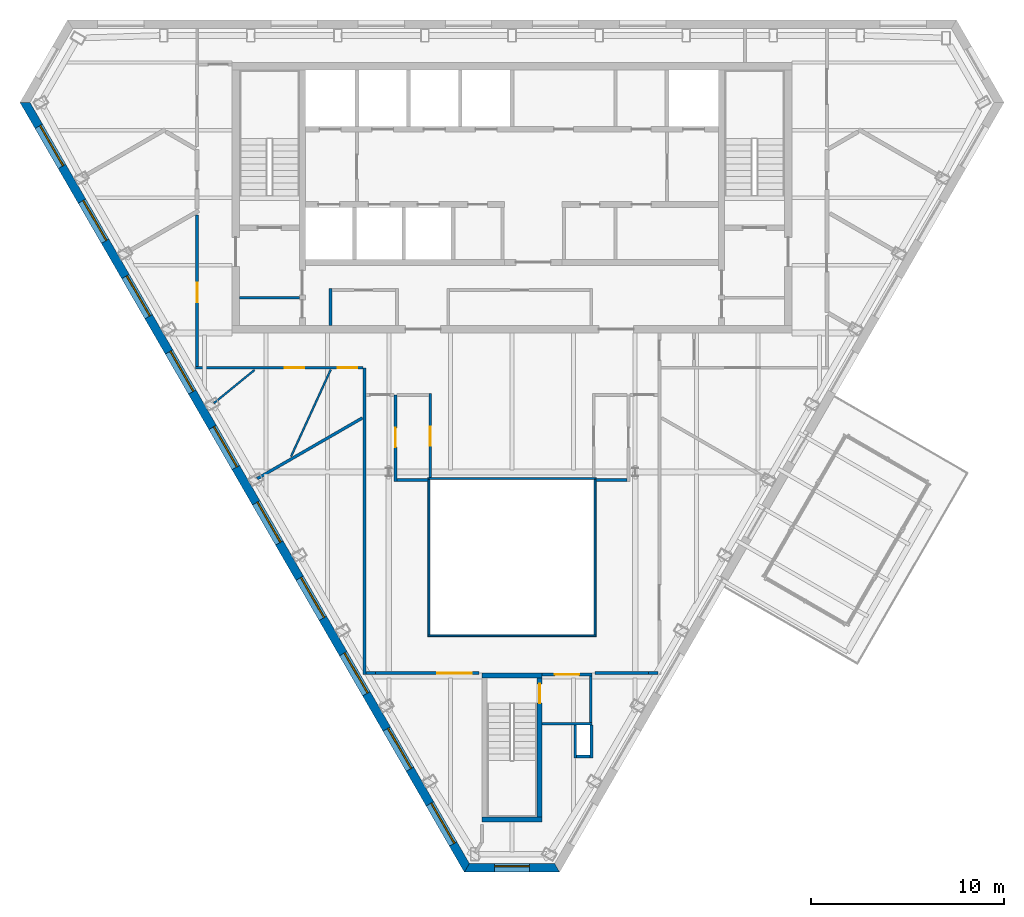
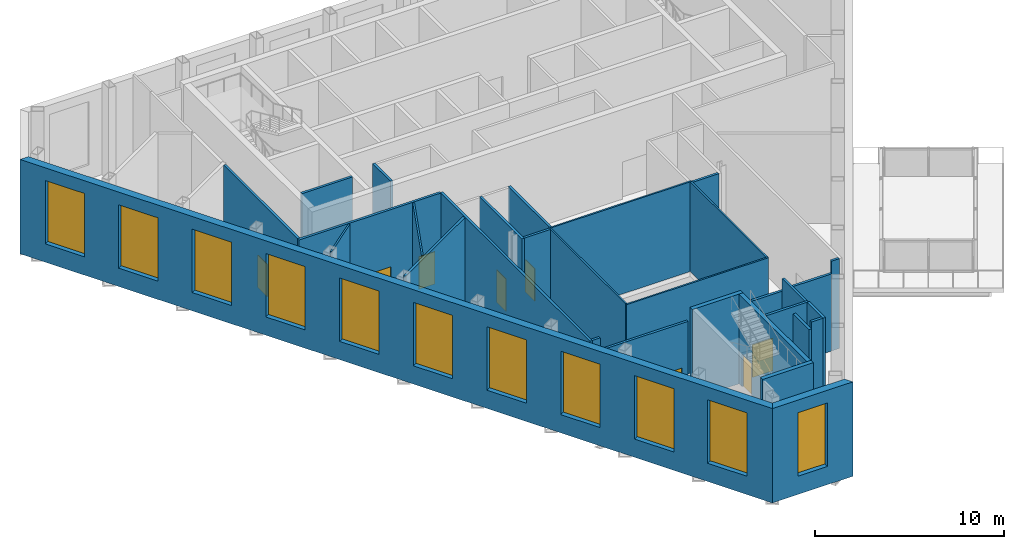
# One storey, part 5 of 11: 31 walls, 11 windows, 8 doors, 19 openings.
"""IFC4 building model written with IfcOpenShell, lengths in metres."""

from ifc_helpers import new_model, si_unit, direction, frame, frame_2d, origin, place, context, subcontext, project, spatial, polyline, rectangle, outline, extrude, material, layer, layer_set, type_object, element, fill, save


model = new_model("IFC4")

# Units and contexts
model_context = context("Model", 3, precision=1e-05, world=origin(), true_north=direction((0.0, 1.0)))
body_context = subcontext(model_context, "Body", "Model", "MODEL_VIEW")
ifc_project = project(units=[si_unit("LENGTHUNIT", "METRE"), si_unit("AREAUNIT", "SQUARE_METRE"), si_unit("VOLUMEUNIT", "CUBIC_METRE"), si_unit("PLANEANGLEUNIT", "RADIAN"), si_unit("MASSUNIT", "GRAM", prefix="KILO")], contexts=[model_context])

# Site, building, storey
site_placement = place(None, origin())
site = spatial("IfcSite", under=ifc_project, at=site_placement, CompositionType="ELEMENT")
building_placement = place(site_placement, origin())
building = spatial("IfcBuilding", under=site, at=building_placement, Name="Njiva Tower", CompositionType="ELEMENT")
storey_placement = place(building_placement, frame((0.0, 0.0, 298.2)))
storey = spatial("IfcBuildingStorey", under=building, at=storey_placement, Name="L68", CompositionType="ELEMENT", Elevation=298.2)

# Walls
ifc_material_1 = material(Name="Blockwork", Category="masonry")
ifc_layer_1 = layer(ifc_material_1, 0.15)
ifc_layer_set_1 = layer_set([ifc_layer_1], Name="Blockwork")
wall_type_1 = type_object("IfcWallType", Name="WT1 Compartment partition 150", PredefinedType="PARTITIONING", material=ifc_layer_set_1)
wall_1_placement = place(storey_placement, frame((-14.1, 5.825, 0.0), z_axis=(0.0, 0.0, 1.0), x_axis=(1.0, 0.0, 0.0)))
element("IfcWall", 1, at=wall_1_placement, inside=storey, type_object=wall_type_1, Name="Room wall A", PredefinedType="PARTITIONING", context=body_context, shape_type="SweptSolid", body=[
    extrude(rectangle(XDim=3.1, YDim=0.15, at=frame_2d((1.55, 0.0))), origin(), (0.0, 0.0, 1.0), 5.8),
])
wall_2_placement = place(storey_placement, frame((-9.4, 4.4, 0.0), z_axis=(0.0, 0.0, 1.0), x_axis=(0.0, 1.0, 0.0)))
element("IfcWall", 2, at=wall_2_placement, inside=storey, type_object=wall_type_1, Name="Waiting room wall west", PredefinedType="PARTITIONING", context=body_context, shape_type="SweptSolid", body=[
    extrude(rectangle(XDim=1.895, YDim=0.15, at=frame_2d((0.9475, 0.0))), origin(), (0.0, 0.0, 1.0), 5.8),
])
ifc_material_2 = material(Name="Gypsum board on steel studs", Category="gypsum")
ifc_layer_2 = layer(ifc_material_2, 0.1)
ifc_layer_set_2 = layer_set([ifc_layer_2], Name="Gypsum board on steel studs")
wall_type_2 = type_object("IfcWallType", Name="WT20 Gypsum partition 100", PredefinedType="PARTITIONING", material=ifc_layer_set_2)
wall_3_placement = place(storey_placement, frame((-15.436, 0.363, 0.0), z_axis=(0.0, 0.0, 1.0), x_axis=(0.774415182093, 0.632677742412, 0.0)))
element("IfcWall", 3, at=wall_3_placement, inside=storey, type_object=wall_type_2, Name="Partition S22-P010", PredefinedType="PARTITIONING", context=body_context, shape_type="SweptSolid", body=[
    extrude(rectangle(XDim=2.7233, YDim=0.1, at=frame_2d((1.3616, 0.0))), origin(), (0.0, 0.0, 1.0), 5.8),
])
wall_4_placement = place(storey_placement, frame((-11.438, -2.395, 0.0), z_axis=(0.0, 0.0, 1.0), x_axis=(0.415979482181, 0.909373999191, 0.0)))
element("IfcWall", 4, at=wall_4_placement, inside=storey, type_object=wall_type_2, Name="Partition S22-P012", PredefinedType="PARTITIONING", context=body_context, shape_type="SweptSolid", body=[
    extrude(rectangle(XDim=4.9474, YDim=0.1, at=frame_2d((2.4737, 0.0))), origin(), (0.0, 0.0, 1.0), 5.8),
])

# Wall, openings, doors
ifc_layer_3 = layer(ifc_material_2, 0.15)
ifc_layer_set_3 = layer_set([ifc_layer_3], Name="Gypsum board on steel studs")
wall_type_3 = type_object("IfcWallType", Name="WT21 Compartment wall 150", PredefinedType="PARTITIONING", material=ifc_layer_set_3)
wall_5_placement = place(storey_placement, frame((-16.375, 2.2, 0.0), z_axis=(0.0, 0.0, 1.0), x_axis=(1.0, 0.0, 0.0)))
wall_5 = element("IfcWall", 5, at=wall_5_placement, inside=storey, type_object=wall_type_3, Name="Partition S22-P004", PredefinedType="PARTITIONING", context=body_context, shape_type="SweptSolid", body=[
    extrude(rectangle(XDim=8.67, YDim=0.15, at=frame_2d((4.335, 0.0))), origin(), (0.0, 0.0, 1.0), 5.8),
])
opening_1_placement = place(wall_5_placement, frame((4.613, 0.0, 0.0)))
opening_1 = element("IfcOpeningElement", 6, at=opening_1_placement, cuts=wall_5, Name="Opening S22-D001", PredefinedType="OPENING", context=body_context, shape_type="SweptSolid", body=[
    extrude(rectangle(XDim=1.0, YDim=2.1, at=frame_2d((0.5, 1.05))), frame((0.0, 0.085, 0.0), z_axis=(0.0, -1.0, 0.0), x_axis=(1.0, 0.0, 0.0)), (0.0, 0.0, 1.0), 0.17),
])
opening_2_placement = place(wall_5_placement, frame((7.354, 0.0, 0.0)))
opening_2 = element("IfcOpeningElement", 7, at=opening_2_placement, cuts=wall_5, Name="Opening S22-D002", PredefinedType="OPENING", context=body_context, shape_type="SweptSolid", body=[
    extrude(rectangle(XDim=1.0, YDim=2.1, at=frame_2d((0.5, 1.05))), frame((0.0, 0.085, 0.0), z_axis=(0.0, -1.0, 0.0), x_axis=(1.0, 0.0, 0.0)), (0.0, 0.0, 1.0), 0.17),
])
ifc_material_3 = material(Name="Steel fire door set", Category="steel")
door_type_1 = type_object("IfcDoorType", Name="D37 Fire door 1000x2100", OperationType="SINGLE_SWING_LEFT", PredefinedType="DOOR", material=ifc_material_3)
door_1_placement = place(opening_1_placement, origin())
door_1 = element("IfcDoor", 8, at=door_1_placement, inside=storey, type_object=door_type_1, Name="Door S22-D001", OperationType="SINGLE_SWING_RIGHT", OverallHeight=2.1, OverallWidth=1.0, PredefinedType="DOOR", context=body_context, shape_type="SweptSolid", body=[
    extrude(rectangle(XDim=1.0, YDim=2.1, at=frame_2d((0.5, 1.05))), frame((0.0, 0.025, 0.0), z_axis=(0.0, -1.0, 0.0), x_axis=(1.0, 0.0, 0.0)), (0.0, 0.0, 1.0), 0.05),
])
fill(opening_1, door_1)
door_2_placement = place(opening_2_placement, origin())
door_2 = element("IfcDoor", 9, at=door_2_placement, inside=storey, type_object=door_type_1, Name="Door S22-D002", OperationType="SINGLE_SWING_RIGHT", OverallHeight=2.1, OverallWidth=1.0, PredefinedType="DOOR", context=body_context, shape_type="SweptSolid", body=[
    extrude(rectangle(XDim=1.0, YDim=2.1, at=frame_2d((0.5, 1.05))), frame((0.0, 0.025, 0.0), z_axis=(0.0, -1.0, 0.0), x_axis=(1.0, 0.0, 0.0)), (0.0, 0.0, 1.0), 0.05),
])
fill(opening_2, door_2)

# Wall, opening, door
wall_6_placement = place(storey_placement, frame((-16.3, 2.275, 0.0), z_axis=(0.0, 0.0, 1.0), x_axis=(0.0, 1.0, 0.0)))
wall_6 = element("IfcWall", 10, at=wall_6_placement, inside=storey, type_object=wall_type_3, Name="Partition S22-P005", PredefinedType="PARTITIONING", context=body_context, shape_type="SweptSolid", body=[
    extrude(rectangle(XDim=7.845, YDim=0.15, at=frame_2d((3.9225, 0.0))), origin(), (0.0, 0.0, 1.0), 5.8),
])
opening_3_placement = place(wall_6_placement, frame((3.322, 0.0, 0.0)))
opening_3 = element("IfcOpeningElement", 11, at=opening_3_placement, cuts=wall_6, Name="Opening S22-D003", PredefinedType="OPENING", context=body_context, shape_type="SweptSolid", body=[
    extrude(rectangle(XDim=1.0, YDim=2.1, at=frame_2d((0.5, 1.05))), frame((0.0, 0.085, 0.0), z_axis=(0.0, -1.0, 0.0), x_axis=(1.0, 0.0, 0.0)), (0.0, 0.0, 1.0), 0.17),
])
door_3_placement = place(opening_3_placement, origin())
door_3 = element("IfcDoor", 12, at=door_3_placement, inside=storey, type_object=door_type_1, Name="Door S22-D003", OperationType="SINGLE_SWING_RIGHT", OverallHeight=2.1, OverallWidth=1.0, PredefinedType="DOOR", context=body_context, shape_type="SweptSolid", body=[
    extrude(rectangle(XDim=1.0, YDim=2.1, at=frame_2d((0.5, 1.05))), frame((0.0, 0.025, 0.0), z_axis=(0.0, -1.0, 0.0), x_axis=(1.0, 0.0, 0.0)), (0.0, 0.0, 1.0), 0.05),
])
fill(opening_3, door_3)

# Walls
wall_7_placement = place(storey_placement, frame((-13.186, -3.538, 0.0), z_axis=(0.0, 0.0, 1.0), x_axis=(0.866100818307, 0.499869355459, 0.0)))
element("IfcWall", 13, at=wall_7_placement, inside=storey, type_object=wall_type_3, Name="Partition S22-P011", PredefinedType="PARTITIONING", context=body_context, shape_type="SweptSolid", body=[
    extrude(rectangle(XDim=6.2856, YDim=0.15, at=frame_2d((3.1428, 0.0))), origin(), (0.0, 0.0, 1.0), 5.8),
])
wall_8_placement = place(storey_placement, frame((-7.63, -13.675, 0.0), z_axis=(0.0, 0.0, 1.0), x_axis=(0.0, 1.0, 0.0)))
element("IfcWall", 14, at=wall_8_placement, inside=storey, type_object=wall_type_3, Name="Partition S22-P013", PredefinedType="PARTITIONING", context=body_context, shape_type="SweptSolid", body=[
    extrude(rectangle(XDim=15.873, YDim=0.15, at=frame_2d((7.9365, 0.0))), origin(), (0.0, 0.0, 1.0), 5.8),
])
wall_9_placement = place(storey_placement, frame((-7.555, -13.6, 0.0), z_axis=(0.0, 0.0, 1.0), x_axis=(1.0, 0.0, 0.0)))
element("IfcWall", 15, at=wall_9_placement, inside=storey, type_object=wall_type_3, Name="Partition S22-P014", PredefinedType="PARTITIONING", context=body_context, shape_type="SweptSolid", body=[
    extrude(rectangle(XDim=0.48, YDim=0.15, at=frame_2d((0.24, 0.0))), origin(), (0.0, 0.0, 1.0), 5.8),
])

# Wall, opening, door
wall_10_placement = place(storey_placement, frame((-7.075, -13.6, 0.0), z_axis=(0.0, 0.0, 1.0), x_axis=(1.0, 0.0, 0.0)))
wall_10 = element("IfcWall", 16, at=wall_10_placement, inside=storey, type_object=wall_type_3, Name="Partition S22-P014A", PredefinedType="PARTITIONING", context=body_context, shape_type="SweptSolid", body=[
    extrude(rectangle(XDim=5.375, YDim=0.15, at=frame_2d((2.6875, 0.0))), origin(), (0.0, 0.0, 1.0), 4.986),
])
opening_4_placement = place(wall_10_placement, frame((3.204, 0.0, 0.0)))
opening_4 = element("IfcOpeningElement", 17, at=opening_4_placement, cuts=wall_10, Name="Opening S22-D007", PredefinedType="OPENING", context=body_context, shape_type="SweptSolid", body=[
    extrude(rectangle(XDim=1.8, YDim=2.1, at=frame_2d((0.9, 1.05))), frame((0.0, 0.085, 0.0), z_axis=(0.0, -1.0, 0.0), x_axis=(1.0, 0.0, 0.0)), (0.0, 0.0, 1.0), 0.17),
])
door_type_2 = type_object("IfcDoorType", Name="D38 Fire door 1800x2100", OperationType="DOUBLE_DOOR_SINGLE_SWING", PredefinedType="DOOR", material=ifc_material_3)
door_4_placement = place(opening_4_placement, origin())
door_4 = element("IfcDoor", 18, at=door_4_placement, inside=storey, type_object=door_type_2, Name="Door S22-D007", OperationType="DOUBLE_DOOR_SINGLE_SWING", OverallHeight=2.1, OverallWidth=1.8, PredefinedType="DOOR", context=body_context, shape_type="SweptSolid", body=[
    extrude(rectangle(XDim=1.8, YDim=2.1, at=frame_2d((0.9, 1.05))), frame((0.0, 0.025, 0.0), z_axis=(0.0, -1.0, 0.0), x_axis=(1.0, 0.0, 0.0)), (0.0, 0.0, 1.0), 0.05),
])
fill(opening_4, door_4)

wall_11_placement = place(storey_placement, frame((-6.03, -3.687, 0.0), z_axis=(0.0, 0.0, 1.0), x_axis=(0.0, 1.0, 0.0)))
wall_11 = element("IfcWall", 19, at=wall_11_placement, inside=storey, type_object=wall_type_3, Name="Partition S22-P016", PredefinedType="PARTITIONING", context=body_context, shape_type="SweptSolid", body=[
    extrude(rectangle(XDim=4.487, YDim=0.15, at=frame_2d((2.2435, 0.0))), origin(), (0.0, 0.0, 1.0), 5.8),
])
opening_5_placement = place(wall_11_placement, frame((1.781, 0.0, 0.0)))
opening_5 = element("IfcOpeningElement", 20, at=opening_5_placement, cuts=wall_11, Name="Opening S22-D009", PredefinedType="OPENING", context=body_context, shape_type="SweptSolid", body=[
    extrude(rectangle(XDim=1.0, YDim=2.1, at=frame_2d((0.5, 1.05))), frame((0.0, 0.085, 0.0), z_axis=(0.0, -1.0, 0.0), x_axis=(1.0, 0.0, 0.0)), (0.0, 0.0, 1.0), 0.17),
])
door_5_placement = place(opening_5_placement, origin())
door_5 = element("IfcDoor", 21, at=door_5_placement, inside=storey, type_object=door_type_1, Name="Door S22-D009", OperationType="SINGLE_SWING_RIGHT", OverallHeight=2.1, OverallWidth=1.0, PredefinedType="DOOR", context=body_context, shape_type="SweptSolid", body=[
    extrude(rectangle(XDim=1.0, YDim=2.1, at=frame_2d((0.5, 1.05))), frame((0.0, 0.025, 0.0), z_axis=(0.0, -1.0, 0.0), x_axis=(1.0, 0.0, 0.0)), (0.0, 0.0, 1.0), 0.05),
])
fill(opening_5, door_5)

# Wall
wall_12_placement = place(storey_placement, frame((-5.955, -3.612, 0.0), z_axis=(0.0, 0.0, 1.0), x_axis=(1.0, 0.0, 0.0)))
element("IfcWall", 22, at=wall_12_placement, inside=storey, type_object=wall_type_3, Name="Partition S22-P017", PredefinedType="PARTITIONING", context=body_context, shape_type="SweptSolid", body=[
    extrude(rectangle(XDim=1.605, YDim=0.15, at=frame_2d((0.8025, 0.0))), origin(), (0.0, 0.0, 1.0), 5.8),
])

# Wall, opening, door
wall_13_placement = place(storey_placement, frame((-4.23, -3.48, 0.0), z_axis=(0.0, 0.0, 1.0), x_axis=(0.0, 1.0, 0.0)))
wall_13 = element("IfcWall", 23, at=wall_13_placement, inside=storey, type_object=wall_type_3, Name="Partition S22-P019", PredefinedType="PARTITIONING", context=body_context, shape_type="SweptSolid", body=[
    extrude(rectangle(XDim=4.355, YDim=0.15, at=frame_2d((2.1775, 0.0))), origin(), (0.0, 0.0, 1.0), 5.8),
])
opening_6_placement = place(wall_13_placement, frame((1.64, 0.0, 0.0)))
opening_6 = element("IfcOpeningElement", 24, at=opening_6_placement, cuts=wall_13, Name="Opening S22-D010", PredefinedType="OPENING", context=body_context, shape_type="SweptSolid", body=[
    extrude(rectangle(XDim=1.0, YDim=2.1, at=frame_2d((0.5, 1.05))), frame((0.0, 0.085, 0.0), z_axis=(0.0, -1.0, 0.0), x_axis=(1.0, 0.0, 0.0)), (0.0, 0.0, 1.0), 0.17),
])
door_6_placement = place(opening_6_placement, origin())
door_6 = element("IfcDoor", 25, at=door_6_placement, inside=storey, type_object=door_type_1, Name="Door S22-D010", OperationType="SINGLE_SWING_LEFT", OverallHeight=2.1, OverallWidth=1.0, PredefinedType="DOOR", context=body_context, shape_type="SweptSolid", body=[
    extrude(rectangle(XDim=1.0, YDim=2.1, at=frame_2d((0.5, 1.05))), frame((0.0, 0.025, 0.0), z_axis=(0.0, -1.0, 0.0), x_axis=(1.0, 0.0, 0.0)), (0.0, 0.0, 1.0), 0.05),
])
fill(opening_6, door_6)

# Walls
wall_14_placement = place(storey_placement, frame((4.3, -13.6, 0.0), z_axis=(0.0, 0.0, 1.0), x_axis=(1.0, 0.0, 0.0)))
element("IfcWall", 26, at=wall_14_placement, inside=storey, type_object=wall_type_3, Name="Partition S22-P023", PredefinedType="PARTITIONING", context=body_context, shape_type="SweptSolid", body=[
    extrude(rectangle(XDim=2.775, YDim=0.15, at=frame_2d((1.3875, 0.0))), origin(), (0.0, 0.0, 1.0), 4.986),
])
wall_15_placement = place(storey_placement, frame((7.075, -13.6, 0.0), z_axis=(0.0, 0.0, 1.0), x_axis=(1.0, 0.0, 0.0)))
element("IfcWall", 27, at=wall_15_placement, inside=storey, type_object=wall_type_3, Name="Partition S22-P023A", PredefinedType="PARTITIONING", context=body_context, shape_type="SweptSolid", body=[
    extrude(rectangle(XDim=0.48, YDim=0.15, at=frame_2d((0.24, 0.0))), origin(), (0.0, 0.0, 1.0), 5.8),
])
wall_16_placement = place(storey_placement, frame((4.35, -3.612, 0.0), z_axis=(0.0, 0.0, 1.0), x_axis=(1.0, 0.0, 0.0)))
element("IfcWall", 28, at=wall_16_placement, inside=storey, type_object=wall_type_3, Name="Partition S22-P025", PredefinedType="PARTITIONING", context=body_context, shape_type="SweptSolid", body=[
    extrude(rectangle(XDim=1.605, YDim=0.15, at=frame_2d((0.8025, 0.0))), origin(), (0.0, 0.0, 1.0), 5.8),
])
ifc_layer_4 = layer(ifc_material_1, 0.15)
ifc_layer_set_4 = layer_set([ifc_layer_4], Name="Blockwork")
wall_type_4 = type_object("IfcWallType", Name="WT4 Stair partition 150", PredefinedType="PARTITIONING", material=ifc_layer_set_4)
wall_17_placement = place(storey_placement, frame((1.55, -16.225, 0.0), z_axis=(0.0, 0.0, 1.0), x_axis=(1.0, 0.0, 0.0)))
element("IfcWall", 29, at=wall_17_placement, inside=storey, type_object=wall_type_4, Name="Stair C vestibule wall south", PredefinedType="PARTITIONING", context=body_context, shape_type="SweptSolid", body=[
    extrude(rectangle(XDim=2.6, YDim=0.15, at=frame_2d((1.3, 0.0))), origin(), (0.0, 0.0, 1.0), 5.8),
])
wall_18_placement = place(storey_placement, frame((4.075, -16.15, 0.0), z_axis=(0.0, 0.0, 1.0), x_axis=(0.0, 1.0, 0.0)))
element("IfcWall", 30, at=wall_18_placement, inside=storey, type_object=wall_type_4, Name="Stair C vestibule wall east", PredefinedType="PARTITIONING", context=body_context, shape_type="SweptSolid", body=[
    extrude(rectangle(XDim=2.4, YDim=0.15, at=frame_2d((1.2, 0.0))), origin(), (0.0, 0.0, 1.0), 5.8),
])

# Wall, opening, door
wall_19_placement = place(storey_placement, frame((1.55, -13.675, 0.0), z_axis=(0.0, 0.0, 1.0), x_axis=(1.0, 0.0, 0.0)))
wall_19 = element("IfcWall", 31, at=wall_19_placement, inside=storey, type_object=wall_type_4, Name="Stair C vestibule wall north", PredefinedType="PARTITIONING", context=body_context, shape_type="SweptSolid", body=[
    extrude(rectangle(XDim=2.6, YDim=0.15, at=frame_2d((1.3, 0.0))), origin(), (0.0, 0.0, 1.0), 4.986),
])
opening_7_placement = place(wall_19_placement, frame((0.675, 0.0, 0.0)))
opening_7 = element("IfcOpeningElement", 32, at=opening_7_placement, cuts=wall_19, Name="Opening S22-D930", PredefinedType="OPENING", context=body_context, shape_type="SweptSolid", body=[
    extrude(rectangle(XDim=1.25, YDim=2.1, at=frame_2d((0.625, 1.05))), frame((0.0, 0.085, 0.0), z_axis=(0.0, -1.0, 0.0), x_axis=(1.0, 0.0, 0.0)), (0.0, 0.0, 1.0), 0.17),
])
ifc_material_4 = material(Name="Glazed steel fire door", Category="steel")
door_type_3 = type_object("IfcDoorType", Name="D8 Vestibule corridor door 1250x2100 glazed", OperationType="SINGLE_SWING_LEFT", PredefinedType="DOOR", material=ifc_material_4)
door_7_placement = place(opening_7_placement, origin())
door_7 = element("IfcDoor", 33, at=door_7_placement, inside=storey, type_object=door_type_3, Name="Stair vestibule corridor door", OperationType="SINGLE_SWING_RIGHT", OverallHeight=2.1, OverallWidth=1.25, PredefinedType="DOOR", context=body_context, shape_type="SweptSolid", body=[
    extrude(rectangle(XDim=1.25, YDim=2.1, at=frame_2d((0.625, 1.05))), frame((0.0, 0.025, 0.0), z_axis=(0.0, -1.0, 0.0), x_axis=(1.0, 0.0, 0.0)), (0.0, 0.0, 1.0), 0.05),
])
fill(opening_7, door_7)

# Walls
wall_20_placement = place(storey_placement, frame((3.275, -18.0, 0.0), z_axis=(0.0, 0.0, 1.0), x_axis=(0.0, 1.0, 0.0)))
element("IfcWall", 34, at=wall_20_placement, inside=storey, type_object=wall_type_4, Name="Stair C pressurisation shaft wall", PredefinedType="PARTITIONING", context=body_context, shape_type="SweptSolid", body=[
    extrude(rectangle(XDim=1.7, YDim=0.15, at=frame_2d((0.85, 0.0))), origin(), (0.0, 0.0, 1.0), 5.35),
])
wall_21_placement = place(storey_placement, frame((3.35, -17.925, 0.0), z_axis=(0.0, 0.0, 1.0), x_axis=(1.0, 0.0, 0.0)))
element("IfcWall", 35, at=wall_21_placement, inside=storey, type_object=wall_type_4, Name="Stair C pressurisation shaft wall", PredefinedType="PARTITIONING", context=body_context, shape_type="SweptSolid", body=[
    extrude(rectangle(XDim=0.7, YDim=0.15, at=frame_2d((0.35, 0.0))), origin(), (0.0, 0.0, 1.0), 5.8),
])
wall_22_placement = place(storey_placement, frame((4.125, -18.0, 0.0), z_axis=(0.0, 0.0, 1.0), x_axis=(0.0, 1.0, 0.0)))
element("IfcWall", 36, at=wall_22_placement, inside=storey, type_object=wall_type_4, Name="Stair C pressurisation shaft wall", PredefinedType="PARTITIONING", context=body_context, shape_type="SweptSolid", body=[
    extrude(rectangle(XDim=1.7, YDim=0.15, at=frame_2d((0.85, 0.0))), origin(), (0.0, 0.0, 1.0), 5.8),
])

# Wall, opening, door
ifc_material_5 = material(Name="Concrete C40/50", Category="concrete")
ifc_layer_5 = layer(ifc_material_5, 0.25)
ifc_layer_set_5 = layer_set([ifc_layer_5], Name="Concrete C40/50")
wall_type_5 = type_object("IfcWallType", Name="WT9 Stair enclosure wall 250", PredefinedType="SHEAR", material=ifc_layer_set_5)
wall_23_placement = place(storey_placement, frame((1.425, -21.05, 0.0), z_axis=(0.0, 0.0, 1.0), x_axis=(0.0, 1.0, 0.0)))
wall_23 = element("IfcWall", 37, at=wall_23_placement, inside=storey, type_object=wall_type_5, Name="Stair C wall east", PredefinedType="SHEAR", context=body_context, shape_type="SweptSolid", body=[
    extrude(rectangle(XDim=7.2, YDim=0.25, at=frame_2d((3.6, 0.0))), origin(), (0.0, 0.0, 1.0), 5.8),
])
opening_8_placement = place(wall_23_placement, frame((5.89, 0.0, 0.0)))
opening_8 = element("IfcOpeningElement", 38, at=opening_8_placement, cuts=wall_23, Name="Opening S22-D929", PredefinedType="OPENING", context=body_context, shape_type="SweptSolid", body=[
    extrude(rectangle(XDim=1.0, YDim=2.1, at=frame_2d((0.5, 1.05))), frame((0.0, 0.135, 0.0), z_axis=(0.0, -1.0, 0.0), x_axis=(1.0, 0.0, 0.0)), (0.0, 0.0, 1.0), 0.27),
])
door_type_4 = type_object("IfcDoorType", Name="D9 Stair vestibule door 1000x2100 glazed", OperationType="SINGLE_SWING_LEFT", PredefinedType="DOOR", material=ifc_material_4)
door_8_placement = place(opening_8_placement, origin())
door_8 = element("IfcDoor", 39, at=door_8_placement, inside=storey, type_object=door_type_4, Name="Stair C door", OperationType="SINGLE_SWING_LEFT", OverallHeight=2.1, OverallWidth=1.0, PredefinedType="DOOR", context=body_context, shape_type="SweptSolid", body=[
    extrude(rectangle(XDim=1.0, YDim=2.1, at=frame_2d((0.5, 1.05))), frame((0.0, 0.025, 0.0), z_axis=(0.0, -1.0, 0.0), x_axis=(1.0, 0.0, 0.0)), (0.0, 0.0, 1.0), 0.05),
])
fill(opening_8, door_8)

# Walls
for number, where, z_axis, x_axis, name in (
    (40, (-1.55, -21.175, 0.0), (0.0, 0.0, 1.0), (1.0, 0.0, 0.0), "Stair C wall south"),
    (41, (-1.55, -13.725, 0.0), (0.0, 0.0, 1.0), (1.0, 0.0, 0.0), "Stair C wall north"),
):
    element("IfcWall", number, at=place(storey_placement, frame(where, z_axis=z_axis, x_axis=x_axis)), inside=storey, type_object=wall_type_5, Name=name, PredefinedType="SHEAR", context=body_context, shape_type="SweptSolid", body=[
        extrude(rectangle(XDim=3.1, YDim=0.25, at=frame_2d((1.55, 0.0))), origin(), (0.0, 0.0, 1.0), 5.8),
    ])

# Wall, openings, windows
ifc_material_6 = material(Name="Brick masonry", Category="masonry")
ifc_layer_6 = layer(ifc_material_6, 0.45)
ifc_layer_set_6 = layer_set([ifc_layer_6], Name="Brick masonry")
wall_type_6 = type_object("IfcWallType", Name="WT90 Brick pier and spandrel wall 450", PredefinedType="SOLIDWALL", material=ifc_layer_set_6)
wall_24_placement = place(storey_placement, frame((-25.2052, 15.9305, -0.28), z_axis=(0.0, 0.0, 1.0), x_axis=(0.499999764979, -0.866025539474, 0.0)))
wall_24 = element("IfcWall", 42, at=wall_24_placement, inside=storey, type_object=wall_type_6, Name="Facade wall SW", PredefinedType="SOLIDWALL", context=body_context, shape_type="SweptSolid", body=[
    extrude(outline(polyline([(-0.1299, -0.225), (45.8701, -0.225), (45.6103, 0.225), (0.1299, 0.225), (-0.1299, -0.225)])), origin(), (0.0, 0.0, 1.0), 6.1),
])
opening_9_placement = place(wall_24_placement, frame((1.4242, 0.0, 1.18)))
opening_9 = element("IfcOpeningElement", 43, at=opening_9_placement, cuts=wall_24, Name="Opening S22-W09", PredefinedType="OPENING", context=body_context, shape_type="SweptSolid", body=[
    extrude(rectangle(XDim=2.4, YDim=4.1, at=frame_2d((1.2, 2.05))), frame((0.0, 0.235, 0.0), z_axis=(0.0, -1.0, 0.0), x_axis=(1.0, 0.0, 0.0)), (0.0, 0.0, 1.0), 0.47),
])
opening_10_placement = place(wall_24_placement, frame((5.8934, 0.0, 1.18)))
opening_10 = element("IfcOpeningElement", 44, at=opening_10_placement, cuts=wall_24, Name="Opening S22-W10", PredefinedType="OPENING", context=body_context, shape_type="SweptSolid", body=[
    extrude(rectangle(XDim=2.4, YDim=4.1, at=frame_2d((1.2, 2.05))), frame((0.0, 0.235, 0.0), z_axis=(0.0, -1.0, 0.0), x_axis=(1.0, 0.0, 0.0)), (0.0, 0.0, 1.0), 0.47),
])
opening_11_placement = place(wall_24_placement, frame((10.401, 0.0, 1.18)))
opening_11 = element("IfcOpeningElement", 45, at=opening_11_placement, cuts=wall_24, Name="Opening S22-W11", PredefinedType="OPENING", context=body_context, shape_type="SweptSolid", body=[
    extrude(rectangle(XDim=2.4, YDim=4.1, at=frame_2d((1.2, 2.05))), frame((0.0, 0.235, 0.0), z_axis=(0.0, -1.0, 0.0), x_axis=(1.0, 0.0, 0.0)), (0.0, 0.0, 1.0), 0.47),
])
opening_12_placement = place(wall_24_placement, frame((14.9087, 0.0, 1.18)))
opening_12 = element("IfcOpeningElement", 46, at=opening_12_placement, cuts=wall_24, Name="Opening S22-W12", PredefinedType="OPENING", context=body_context, shape_type="SweptSolid", body=[
    extrude(rectangle(XDim=2.4, YDim=4.1, at=frame_2d((1.2, 2.05))), frame((0.0, 0.235, 0.0), z_axis=(0.0, -1.0, 0.0), x_axis=(1.0, 0.0, 0.0)), (0.0, 0.0, 1.0), 0.47),
])
opening_13_placement = place(wall_24_placement, frame((19.4163, 0.0, 1.18)))
opening_13 = element("IfcOpeningElement", 47, at=opening_13_placement, cuts=wall_24, Name="Opening S22-W13", PredefinedType="OPENING", context=body_context, shape_type="SweptSolid", body=[
    extrude(rectangle(XDim=2.4, YDim=4.1, at=frame_2d((1.2, 2.05))), frame((0.0, 0.235, 0.0), z_axis=(0.0, -1.0, 0.0), x_axis=(1.0, 0.0, 0.0)), (0.0, 0.0, 1.0), 0.47),
])
opening_14_placement = place(wall_24_placement, frame((23.9239, 0.0, 1.18)))
opening_14 = element("IfcOpeningElement", 48, at=opening_14_placement, cuts=wall_24, Name="Opening S22-W14", PredefinedType="OPENING", context=body_context, shape_type="SweptSolid", body=[
    extrude(rectangle(XDim=2.4, YDim=4.1, at=frame_2d((1.2, 2.05))), frame((0.0, 0.235, 0.0), z_axis=(0.0, -1.0, 0.0), x_axis=(1.0, 0.0, 0.0)), (0.0, 0.0, 1.0), 0.47),
])
opening_15_placement = place(wall_24_placement, frame((28.4315, 0.0, 1.18)))
opening_15 = element("IfcOpeningElement", 49, at=opening_15_placement, cuts=wall_24, Name="Opening S22-W15", PredefinedType="OPENING", context=body_context, shape_type="SweptSolid", body=[
    extrude(rectangle(XDim=2.4, YDim=4.1, at=frame_2d((1.2, 2.05))), frame((0.0, 0.235, 0.0), z_axis=(0.0, -1.0, 0.0), x_axis=(1.0, 0.0, 0.0)), (0.0, 0.0, 1.0), 0.47),
])
opening_16_placement = place(wall_24_placement, frame((32.9391, 0.0, 1.18)))
opening_16 = element("IfcOpeningElement", 50, at=opening_16_placement, cuts=wall_24, Name="Opening S22-W16", PredefinedType="OPENING", context=body_context, shape_type="SweptSolid", body=[
    extrude(rectangle(XDim=2.4, YDim=4.1, at=frame_2d((1.2, 2.05))), frame((0.0, 0.235, 0.0), z_axis=(0.0, -1.0, 0.0), x_axis=(1.0, 0.0, 0.0)), (0.0, 0.0, 1.0), 0.47),
])
opening_17_placement = place(wall_24_placement, frame((37.4468, 0.0, 1.18)))
opening_17 = element("IfcOpeningElement", 51, at=opening_17_placement, cuts=wall_24, Name="Opening S22-W17", PredefinedType="OPENING", context=body_context, shape_type="SweptSolid", body=[
    extrude(rectangle(XDim=2.4, YDim=4.1, at=frame_2d((1.2, 2.05))), frame((0.0, 0.235, 0.0), z_axis=(0.0, -1.0, 0.0), x_axis=(1.0, 0.0, 0.0)), (0.0, 0.0, 1.0), 0.47),
])
opening_18_placement = place(wall_24_placement, frame((41.916, 0.0, 1.18)))
opening_18 = element("IfcOpeningElement", 52, at=opening_18_placement, cuts=wall_24, Name="Opening S22-W18", PredefinedType="OPENING", context=body_context, shape_type="SweptSolid", body=[
    extrude(rectangle(XDim=2.4, YDim=4.1, at=frame_2d((1.2, 2.05))), frame((0.0, 0.235, 0.0), z_axis=(0.0, -1.0, 0.0), x_axis=(1.0, 0.0, 0.0)), (0.0, 0.0, 1.0), 0.47),
])
ifc_material_7 = material(Name="Clear glazing in aluminium frame", Category="aluminium")
window_type_1 = type_object("IfcWindowType", Name="W93 Deep-set window 2400x4100", PartitioningType="SINGLE_PANEL", PredefinedType="WINDOW", material=ifc_material_7)
window_1_placement = place(opening_9_placement, origin())
window_1 = element("IfcWindow", 53, at=window_1_placement, inside=storey, type_object=window_type_1, Name="Window", OverallHeight=4.1, OverallWidth=2.4, PartitioningType="SINGLE_PANEL", PredefinedType="WINDOW", context=body_context, shape_type="SweptSolid", body=[
    extrude(rectangle(XDim=2.4, YDim=4.1, at=frame_2d((1.2, 2.05))), frame((0.0, 0.105, 0.0), z_axis=(0.0, -1.0, 0.0), x_axis=(1.0, 0.0, 0.0)), (0.0, 0.0, 1.0), 0.06),
])
fill(opening_9, window_1)
window_2_placement = place(opening_10_placement, origin())
window_2 = element("IfcWindow", 54, at=window_2_placement, inside=storey, type_object=window_type_1, Name="Window", OverallHeight=4.1, OverallWidth=2.4, PartitioningType="SINGLE_PANEL", PredefinedType="WINDOW", context=body_context, shape_type="SweptSolid", body=[
    extrude(rectangle(XDim=2.4, YDim=4.1, at=frame_2d((1.2, 2.05))), frame((0.0, 0.105, 0.0), z_axis=(0.0, -1.0, 0.0), x_axis=(1.0, 0.0, 0.0)), (0.0, 0.0, 1.0), 0.06),
])
fill(opening_10, window_2)
window_3_placement = place(opening_11_placement, origin())
window_3 = element("IfcWindow", 55, at=window_3_placement, inside=storey, type_object=window_type_1, Name="Window", OverallHeight=4.1, OverallWidth=2.4, PartitioningType="SINGLE_PANEL", PredefinedType="WINDOW", context=body_context, shape_type="SweptSolid", body=[
    extrude(rectangle(XDim=2.4, YDim=4.1, at=frame_2d((1.2, 2.05))), frame((0.0, 0.105, 0.0), z_axis=(0.0, -1.0, 0.0), x_axis=(1.0, 0.0, 0.0)), (0.0, 0.0, 1.0), 0.06),
])
fill(opening_11, window_3)
window_4_placement = place(opening_12_placement, origin())
window_4 = element("IfcWindow", 56, at=window_4_placement, inside=storey, type_object=window_type_1, Name="Window", OverallHeight=4.1, OverallWidth=2.4, PartitioningType="SINGLE_PANEL", PredefinedType="WINDOW", context=body_context, shape_type="SweptSolid", body=[
    extrude(rectangle(XDim=2.4, YDim=4.1, at=frame_2d((1.2, 2.05))), frame((0.0, 0.105, 0.0), z_axis=(0.0, -1.0, 0.0), x_axis=(1.0, 0.0, 0.0)), (0.0, 0.0, 1.0), 0.06),
])
fill(opening_12, window_4)
window_5_placement = place(opening_13_placement, origin())
window_5 = element("IfcWindow", 57, at=window_5_placement, inside=storey, type_object=window_type_1, Name="Window", OverallHeight=4.1, OverallWidth=2.4, PartitioningType="SINGLE_PANEL", PredefinedType="WINDOW", context=body_context, shape_type="SweptSolid", body=[
    extrude(rectangle(XDim=2.4, YDim=4.1, at=frame_2d((1.2, 2.05))), frame((0.0, 0.105, 0.0), z_axis=(0.0, -1.0, 0.0), x_axis=(1.0, 0.0, 0.0)), (0.0, 0.0, 1.0), 0.06),
])
fill(opening_13, window_5)
window_6_placement = place(opening_14_placement, origin())
window_6 = element("IfcWindow", 58, at=window_6_placement, inside=storey, type_object=window_type_1, Name="Window", OverallHeight=4.1, OverallWidth=2.4, PartitioningType="SINGLE_PANEL", PredefinedType="WINDOW", context=body_context, shape_type="SweptSolid", body=[
    extrude(rectangle(XDim=2.4, YDim=4.1, at=frame_2d((1.2, 2.05))), frame((0.0, 0.105, 0.0), z_axis=(0.0, -1.0, 0.0), x_axis=(1.0, 0.0, 0.0)), (0.0, 0.0, 1.0), 0.06),
])
fill(opening_14, window_6)
window_7_placement = place(opening_15_placement, origin())
window_7 = element("IfcWindow", 59, at=window_7_placement, inside=storey, type_object=window_type_1, Name="Window", OverallHeight=4.1, OverallWidth=2.4, PartitioningType="SINGLE_PANEL", PredefinedType="WINDOW", context=body_context, shape_type="SweptSolid", body=[
    extrude(rectangle(XDim=2.4, YDim=4.1, at=frame_2d((1.2, 2.05))), frame((0.0, 0.105, 0.0), z_axis=(0.0, -1.0, 0.0), x_axis=(1.0, 0.0, 0.0)), (0.0, 0.0, 1.0), 0.06),
])
fill(opening_15, window_7)
window_8_placement = place(opening_16_placement, origin())
window_8 = element("IfcWindow", 60, at=window_8_placement, inside=storey, type_object=window_type_1, Name="Window", OverallHeight=4.1, OverallWidth=2.4, PartitioningType="SINGLE_PANEL", PredefinedType="WINDOW", context=body_context, shape_type="SweptSolid", body=[
    extrude(rectangle(XDim=2.4, YDim=4.1, at=frame_2d((1.2, 2.05))), frame((0.0, 0.105, 0.0), z_axis=(0.0, -1.0, 0.0), x_axis=(1.0, 0.0, 0.0)), (0.0, 0.0, 1.0), 0.06),
])
fill(opening_16, window_8)
window_9_placement = place(opening_17_placement, origin())
window_9 = element("IfcWindow", 61, at=window_9_placement, inside=storey, type_object=window_type_1, Name="Window", OverallHeight=4.1, OverallWidth=2.4, PartitioningType="SINGLE_PANEL", PredefinedType="WINDOW", context=body_context, shape_type="SweptSolid", body=[
    extrude(rectangle(XDim=2.4, YDim=4.1, at=frame_2d((1.2, 2.05))), frame((0.0, 0.105, 0.0), z_axis=(0.0, -1.0, 0.0), x_axis=(1.0, 0.0, 0.0)), (0.0, 0.0, 1.0), 0.06),
])
fill(opening_17, window_9)
window_10_placement = place(opening_18_placement, origin())
window_10 = element("IfcWindow", 62, at=window_10_placement, inside=storey, type_object=window_type_1, Name="Window", OverallHeight=4.1, OverallWidth=2.4, PartitioningType="SINGLE_PANEL", PredefinedType="WINDOW", context=body_context, shape_type="SweptSolid", body=[
    extrude(rectangle(XDim=2.4, YDim=4.1, at=frame_2d((1.2, 2.05))), frame((0.0, 0.105, 0.0), z_axis=(0.0, -1.0, 0.0), x_axis=(1.0, 0.0, 0.0)), (0.0, 0.0, 1.0), 0.06),
])
fill(opening_18, window_10)

# Wall, opening, window
ifc_material_8 = material(Name="Brick masonry, buff", Category="masonry")
ifc_layer_7 = layer(ifc_material_8, 0.45)
ifc_layer_set_7 = layer_set([ifc_layer_7], Name="Brick masonry, buff")
wall_type_7 = type_object("IfcWallType", Name="WT94 Brick pier and spandrel wall 450, buff", PredefinedType="SOLIDWALL", material=ifc_layer_set_7)
wall_25_placement = place(storey_placement, frame((-2.3351, -23.6817, -0.28), z_axis=(0.0, 0.0, 1.0), x_axis=(1.0, 0.0, 0.0)))
wall_25 = element("IfcWall", 63, at=wall_25_placement, inside=storey, type_object=wall_type_7, Name="Facade wall S", PredefinedType="SOLIDWALL", context=body_context, shape_type="SweptSolid", body=[
    extrude(outline(polyline([(-0.1299, -0.225), (4.8001, -0.225), (4.5403, 0.225), (0.1299, 0.225), (-0.1299, -0.225)])), origin(), (0.0, 0.0, 1.0), 6.1),
])
opening_19_placement = place(wall_25_placement, frame((1.4351, 0.0, 1.18)))
opening_19 = element("IfcOpeningElement", 64, at=opening_19_placement, cuts=wall_25, Name="Opening S22-W19", PredefinedType="OPENING", context=body_context, shape_type="SweptSolid", body=[
    extrude(rectangle(XDim=1.8, YDim=4.1, at=frame_2d((0.9, 2.05))), frame((0.0, 0.235, 0.0), z_axis=(0.0, -1.0, 0.0), x_axis=(1.0, 0.0, 0.0)), (0.0, 0.0, 1.0), 0.47),
])
window_type_2 = type_object("IfcWindowType", Name="W97 Deep-set window 1800x4100", PartitioningType="SINGLE_PANEL", PredefinedType="WINDOW", material=ifc_material_7)
window_11_placement = place(opening_19_placement, origin())
window_11 = element("IfcWindow", 65, at=window_11_placement, inside=storey, type_object=window_type_2, Name="Window", OverallHeight=4.1, OverallWidth=1.8, PartitioningType="SINGLE_PANEL", PredefinedType="WINDOW", context=body_context, shape_type="SweptSolid", body=[
    extrude(rectangle(XDim=1.8, YDim=4.1, at=frame_2d((0.9, 2.05))), frame((0.0, 0.105, 0.0), z_axis=(0.0, -1.0, 0.0), x_axis=(1.0, 0.0, 0.0)), (0.0, 0.0, 1.0), 0.06),
])
fill(opening_19, window_11)

# Walls
ifc_material_9 = material(Name="Fire-resisting glazing EI 90", Category="glass")
ifc_layer_8 = layer(ifc_material_9, 0.1)
ifc_layer_set_8 = layer_set([ifc_layer_8], Name="Fire-resisting glazing EI 90")
wall_type_8 = type_object("IfcWallType", Name="WT95 Fire-resisting glazed screen EI 90", PredefinedType="PARTITIONING", material=ifc_layer_set_8)
wall_26_placement = place(storey_placement, frame((-4.35, -11.67, 0.0), z_axis=(0.0, 0.0, 1.0), x_axis=(1.0, 0.0, 0.0)))
element("IfcWall", 66, at=wall_26_placement, inside=storey, type_object=wall_type_8, Name="Atrium fire screen south", PredefinedType="PARTITIONING", context=body_context, shape_type="SweptSolid", body=[
    extrude(rectangle(XDim=8.7, YDim=0.1, at=frame_2d((4.35, 0.0))), origin(), (0.0, 0.0, 1.0), 5.8),
])
wall_27_placement = place(storey_placement, frame((4.3, -11.62, 0.0), z_axis=(0.0, 0.0, 1.0), x_axis=(0.0, 1.0, 0.0)))
element("IfcWall", 67, at=wall_27_placement, inside=storey, type_object=wall_type_8, Name="Atrium fire screen east", PredefinedType="PARTITIONING", context=body_context, shape_type="SweptSolid", body=[
    extrude(rectangle(XDim=8.04, YDim=0.1, at=frame_2d((4.02, 0.0))), origin(), (0.0, 0.0, 1.0), 5.8),
])
wall_28_placement = place(storey_placement, frame((4.35, -3.53, 0.0), z_axis=(0.0, 0.0, 1.0), x_axis=(-1.0, 0.0, 0.0)))
element("IfcWall", 68, at=wall_28_placement, inside=storey, type_object=wall_type_8, Name="Atrium fire screen north", PredefinedType="PARTITIONING", context=body_context, shape_type="SweptSolid", body=[
    extrude(rectangle(XDim=8.7, YDim=0.1, at=frame_2d((4.35, 0.0))), origin(), (0.0, 0.0, 1.0), 5.8),
])
wall_29_placement = place(storey_placement, frame((-4.3, -3.58, 0.0), z_axis=(0.0, 0.0, 1.0), x_axis=(0.0, -1.0, 0.0)))
element("IfcWall", 69, at=wall_29_placement, inside=storey, type_object=wall_type_8, Name="Atrium fire screen west", PredefinedType="PARTITIONING", context=body_context, shape_type="SweptSolid", body=[
    extrude(rectangle(XDim=8.04, YDim=0.1, at=frame_2d((4.02, 0.0))), origin(), (0.0, 0.0, 1.0), 5.8),
])

save(model, "model.ifc")
